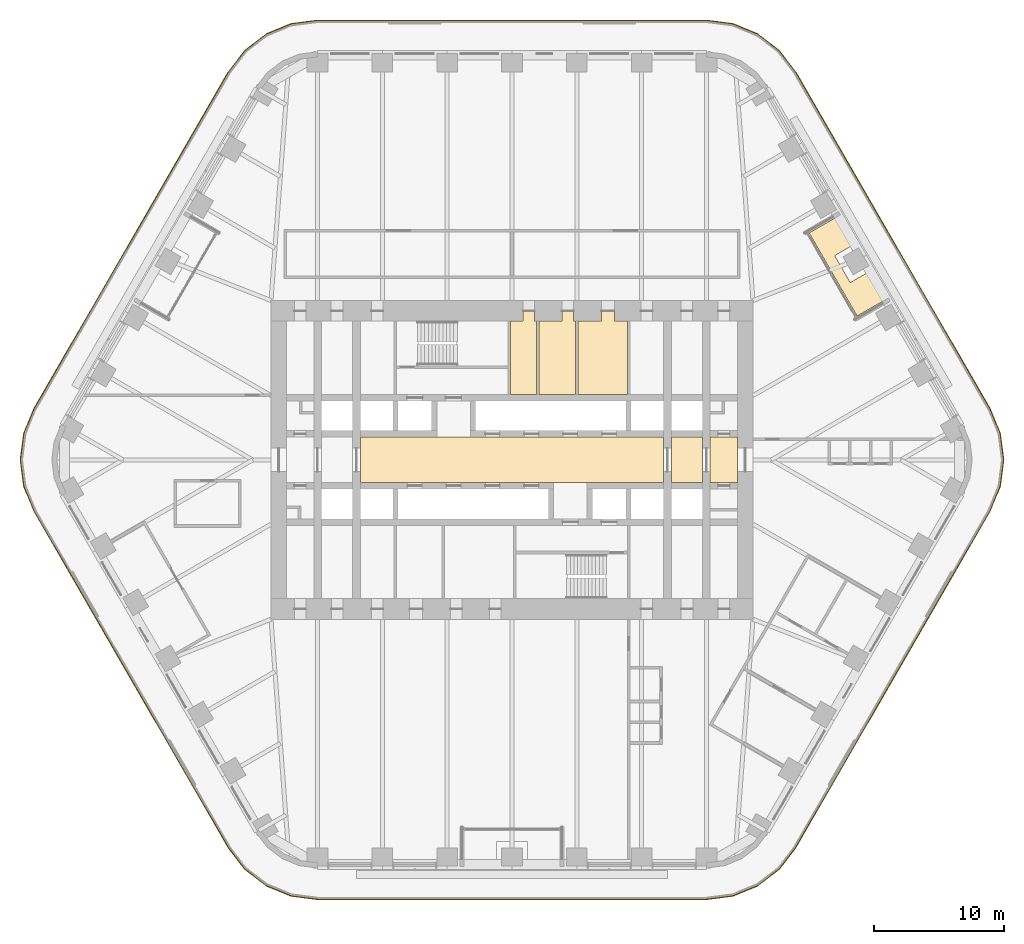
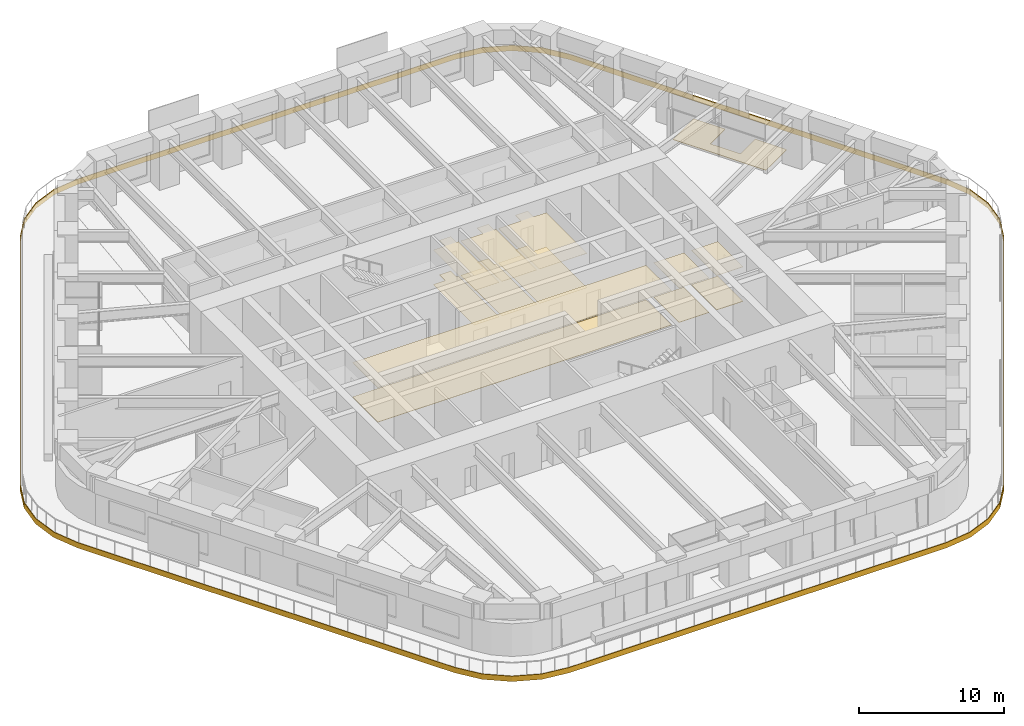
# One storey, part 23 of 24: 14 coverings.
"""IFC4 building model written with IfcOpenShell, lengths in metres."""

import ifcopenshell
import ifcopenshell.guid

model = None  # the IFC model being written
_history = None  # IfcOwnerHistory: only IFC2X3 demands one
_inside = {}  # id of a spatial element -> (the spatial element, [elements in it])
_under = {}  # id of a project, library or spatial element -> (it, [spatial elements below it])
_declared = {}  # id of a project -> (the project, [libraries it declares])
_typed = {}  # id of a type object -> (the type object, [elements of that type])
_made_of = {}  # id of a material, layer set ... -> (it, [elements and type objects made of it])


def new_model(schema):
    """Start an empty IFC model of exactly this schema.

    Asked for "IFC4X3", IfcOpenShell would pick the latest addendum, in which some entities
    have other attributes; the version numbers below select the first issue.
    IFC2X3 requires an IfcOwnerHistory on every rooted entity: one is made here for all.
    """
    global model, _history
    if schema == "IFC4X3":
        model = ifcopenshell.file(schema_version=(4, 3, 0, 0))
    else:
        model = ifcopenshell.file(schema=schema)
    _inside.clear()
    _under.clear()
    _declared.clear()
    _typed.clear()
    _made_of.clear()
    _history = None
    if model.schema == "IFC2X3":
        org = make("IfcOrganization", Name="unknown")
        user = make(
            "IfcPersonAndOrganization",
            ThePerson=make("IfcPerson", FamilyName="unknown"),
            TheOrganization=org,
        )
        app = make(
            "IfcApplication",
            ApplicationDeveloper=org,
            Version="unknown",
            ApplicationFullName="unknown",
            ApplicationIdentifier="unknown",
        )
        _history = make(
            "IfcOwnerHistory",
            OwningUser=user,
            OwningApplication=app,
            ChangeAction="ADDED",
            CreationDate=0,
        )
    return model


def make(cls, **values):
    """One entity of the class cls with the attributes given. An attribute that is None is left unset."""
    return model.create_entity(
        cls, **{name: value for name, value in values.items() if value is not None}
    )


def rooted(cls, **values):
    """An entity with a GlobalId (a new one), such as an element, a storey or a relation."""
    return make(cls, GlobalId=ifcopenshell.guid.new(), OwnerHistory=_history, **values)


def si_unit(unit_type, name, prefix=None):
    """IfcSIUnit, for example si_unit("LENGTHUNIT", "METRE", prefix="MILLI")."""
    return make("IfcSIUnit", UnitType=unit_type, Prefix=prefix, Name=name)


def assignment(units):
    """IfcUnitAssignment: the units of a project."""
    return None if units is None else make("IfcUnitAssignment", Units=units)


def point(xyz):
    """IfcCartesianPoint."""
    return None if xyz is None else make("IfcCartesianPoint", Coordinates=xyz)


def direction(xyz):
    """IfcDirection."""
    return None if xyz is None else make("IfcDirection", DirectionRatios=xyz)


def frame(location, z_axis=None, x_axis=None):
    """IfcAxis2Placement3D, a coordinate frame: its origin and axes. An axis left out is left unset."""
    return make(
        "IfcAxis2Placement3D",
        Location=point(location),
        Axis=direction(z_axis),
        RefDirection=direction(x_axis),
    )


def origin():
    """The frame at (0, 0, 0) with its axes left unset."""
    return frame((0.0, 0.0, 0.0))


def place(relative_to, where):
    """IfcLocalPlacement: puts the frame where relative to a parent placement (None: the world)."""
    return make(
        "IfcLocalPlacement", PlacementRelTo=relative_to, RelativePlacement=where
    )


def context(
    kind, dimensions, precision=None, world=None, true_north=None, identifier=None
):
    """IfcGeometricRepresentationContext, for example the 3D "Model" context."""
    return make(
        "IfcGeometricRepresentationContext",
        ContextIdentifier=identifier,
        ContextType=kind,
        CoordinateSpaceDimension=dimensions,
        Precision=precision,
        WorldCoordinateSystem=world,
        TrueNorth=true_north,
    )


def subcontext(parent, identifier, kind, view, scale=None):
    """IfcGeometricRepresentationSubContext, for example "Body" below "Model"."""
    return make(
        "IfcGeometricRepresentationSubContext",
        ContextIdentifier=identifier,
        ContextType=kind,
        ParentContext=parent,
        TargetScale=scale,
        TargetView=view,
    )


def project(units=None, contexts=None):
    """IfcProject with its units and contexts."""
    return rooted(
        "IfcProject",
        Name="project",
        RepresentationContexts=contexts,
        UnitsInContext=assignment(units),
    )


def spatial(cls, under=None, at=None, **own):
    """A site, building, storey or space (cls), placed at a placement, below another one or the project."""
    s = rooted(cls, ObjectPlacement=at, **own)
    if under is not None:
        _under.setdefault(under.id(), (under, []))[1].append(s)
    return s


def polyline(points):
    """IfcPolyline through the points."""
    return make("IfcPolyline", Points=[point(p) for p in points])


def outline(outer, holes=None, kind="AREA"):
    """IfcArbitraryClosedProfileDef: a profile drawn as a closed curve; with holes, ...WithVoids."""
    if holes is None:
        return make("IfcArbitraryClosedProfileDef", ProfileType=kind, OuterCurve=outer)
    return make(
        "IfcArbitraryProfileDefWithVoids",
        ProfileType=kind,
        OuterCurve=outer,
        InnerCurves=holes,
    )


def extrude(swept, where, along, depth):
    """IfcExtrudedAreaSolid: the profile swept, set in the frame where, extruded along a direction by depth."""
    return make(
        "IfcExtrudedAreaSolid",
        SweptArea=swept,
        Position=where,
        ExtrudedDirection=direction(along),
        Depth=depth,
    )


def shape(context_of_items, identifier, shape_type, items):
    """IfcShapeRepresentation: the items that make up one representation, for example the "Body"."""
    return make(
        "IfcShapeRepresentation",
        ContextOfItems=context_of_items,
        RepresentationIdentifier=identifier,
        RepresentationType=shape_type,
        Items=items,
    )


def material(Name=None, Category=None):
    """IfcMaterial."""
    return make("IfcMaterial", Name=Name, Category=Category)


def layer(
    of_material, thickness, ventilated=None, Name=None, Category=None, Priority=None
):
    """IfcMaterialLayer: one layer of a wall or slab, of a material (None: an air gap)."""
    return make(
        "IfcMaterialLayer",
        Material=of_material,
        LayerThickness=thickness,
        IsVentilated=ventilated,
        Name=Name,
        Category=Category,
        Priority=Priority,
    )


def layer_set(layers, Name=None):
    """IfcMaterialLayerSet."""
    return make("IfcMaterialLayerSet", MaterialLayers=layers, LayerSetName=Name)


def made_of(thing, what):
    """Note that an element or type object is made of a material, layer set ...; save() writes the relation."""
    if what is not None:
        _made_of.setdefault(what.id(), (what, []))[1].append(thing)
    return thing


def type_object(cls, material=None, **own):
    """A type object (cls), such as IfcWallType, which elements share."""
    return made_of(rooted(cls, **own), material)


def element(
    cls,
    number,
    at=None,
    inside=None,
    cuts=None,
    type_object=None,
    material=None,
    context=None,
    identifier="Body",
    shape_type=None,
    held_by="IfcProductDefinitionShape",
    body=None,
    shapes=None,
    **own,
):
    """One element of the class cls, such as IfcWall. Its Tag is "e" and its number.

    at: its placement. inside: the storey or other place that contains it. cuts: it is an
    opening in that element (IfcRelVoidsElement). A single representation is given by context,
    identifier, shape_type and body (its items); several are given by shapes. held_by: the class
    of the entity that holds the representations. save() writes the other relations.
    """
    e = rooted(cls, Tag="e%d" % number, ObjectPlacement=at, **own)
    if body is not None:
        shapes = [shape(context, identifier, shape_type, body)]
    if shapes is not None:
        e.Representation = make(held_by, Representations=shapes)
    if inside is not None:
        _inside.setdefault(inside.id(), (inside, []))[1].append(e)
    if cuts is not None:
        rooted(
            "IfcRelVoidsElement", RelatingBuildingElement=cuts, RelatedOpeningElement=e
        )
    if type_object is not None:
        _typed.setdefault(type_object.id(), (type_object, []))[1].append(e)
    return made_of(e, material)


def aggregate(whole, parts):
    """IfcRelAggregates: a whole, such as a stair, and the parts it consists of."""
    return rooted("IfcRelAggregates", RelatingObject=whole, RelatedObjects=parts)


def save(model, path):
    """Write the relations noted so far, then the file.

    IfcRelAggregates (storeys below a building ...), IfcRelContainedInSpatialStructure (elements
    in a storey), IfcRelDefinesByType, IfcRelAssociatesMaterial and IfcRelDeclares: one each for
    every whole, place, type object, material and project.
    """
    for whole, parts in _under.values():
        aggregate(whole, parts)
    for where, things in _inside.values():
        rooted(
            "IfcRelContainedInSpatialStructure",
            RelatedElements=things,
            RelatingStructure=where,
        )
    for kind, things in _typed.values():
        rooted("IfcRelDefinesByType", RelatedObjects=things, RelatingType=kind)
    for what, things in _made_of.values():
        rooted("IfcRelAssociatesMaterial", RelatedObjects=things, RelatingMaterial=what)
    for by, libraries in _declared.values():
        rooted("IfcRelDeclares", RelatingContext=by, RelatedDefinitions=libraries)
    model.write(path)


model = new_model("IFC4")

# Units and contexts
model_context = context("Model", 3, precision=1e-05, world=origin(), true_north=direction((0.0, 1.0)))
body_context = subcontext(model_context, "Body", "Model", "MODEL_VIEW")
ifc_project = project(units=[si_unit("LENGTHUNIT", "METRE"), si_unit("AREAUNIT", "SQUARE_METRE"), si_unit("VOLUMEUNIT", "CUBIC_METRE"), si_unit("PLANEANGLEUNIT", "RADIAN"), si_unit("MASSUNIT", "GRAM", prefix="KILO")], contexts=[model_context])

# Site, building, storey
site_placement = place(None, origin())
site = spatial("IfcSite", under=ifc_project, at=site_placement, CompositionType="ELEMENT")
building_placement = place(site_placement, origin())
building = spatial("IfcBuilding", under=site, at=building_placement, Name="Tarfa Lantern Tower", CompositionType="ELEMENT")
storey_placement = place(building_placement, frame((0.0, 0.0, 169.89990234375)))
storey = spatial("IfcBuildingStorey", under=building, at=storey_placement, Name="L38", CompositionType="ELEMENT", Elevation=169.89990234375)

# Coverings
ifc_material_1 = material(Name="Moisture-resistant plasterboard", Category="finish")
ifc_layer_1 = layer(ifc_material_1, 0.014892578125)
ifc_layer_set_1 = layer_set([ifc_layer_1], Name="CL2 MOISTURE-RESISTANT PLASTERBOARD CEILING 15")
covering_type_1 = type_object("IfcCoveringType", Name="CL2 MOISTURE-RESISTANT PLASTERBOARD CEILING 15", PredefinedType="CEILING", material=ifc_layer_set_1)
covering_1_placement = place(storey_placement, frame((0.0, 0.0, 2.900146484375)))
element("IfcCovering", 1, at=covering_1_placement, inside=storey, type_object=covering_type_1, Name="Ceiling L38-09", PredefinedType="CEILING", context=body_context, shape_type="SweptSolid", body=[
    extrude(outline(polyline([(0.85009765625, 10.699951171875), (-0.10009765625, 10.699951171875), (-0.10009765625, 5.050048828125), (1.89990234375, 5.050048828125), (1.89990234375, 10.699951171875), (1.75, 10.699951171875), (1.75, 11.5), (1.75, 11.5), (0.85009765625, 11.5), (0.85009765625, 10.699951171875)])), origin(), (0.0, 0.0, 1.0), 0.014892578125),
])
covering_2_placement = place(storey_placement, frame((0.0, 0.0, 2.900146484375)))
element("IfcCovering", 2, at=covering_2_placement, inside=storey, type_object=covering_type_1, Name="Ceiling L38-10", PredefinedType="CEILING", context=body_context, shape_type="SweptSolid", body=[
    extrude(outline(polyline([(2.10009765625, 5.050048828125), (4.89990234375, 5.050048828125), (4.89990234375, 10.699951171875), (4.75, 10.699951171875), (4.75, 11.5), (3.85009765625, 11.5), (3.85009765625, 10.699951171875), (2.10009765625, 10.699951171875), (2.10009765625, 5.050048828125)])), origin(), (0.0, 0.0, 1.0), 0.014892578125),
])
covering_3_placement = place(storey_placement, frame((0.0, 0.0, 2.900146484375)))
element("IfcCovering", 3, at=covering_3_placement, inside=storey, type_object=covering_type_1, Name="Ceiling L38-11", PredefinedType="CEILING", context=body_context, shape_type="SweptSolid", body=[
    extrude(outline(polyline([(5.10009765625, 5.050048828125), (8.89990234375, 5.050048828125), (8.89990234375, 10.699951171875), (7.89990234375, 10.699951171875), (7.89990234375, 11.5), (6.89990234375, 11.5), (6.89990234375, 10.699951171875), (5.10009765625, 10.699951171875), (5.10009765625, 5.050048828125)])), origin(), (0.0, 0.0, 1.0), 0.014892578125),
])
ifc_material_2 = material(Name="Powder-coated aluminium panel", Category="aluminium")
ifc_layer_2 = layer(ifc_material_2, 0.030029296875)
ifc_layer_set_2 = layer_set([ifc_layer_2], Name="CL3 METAL PANEL CEILING 30")
covering_type_2 = type_object("IfcCoveringType", Name="CL3 METAL PANEL CEILING 30", PredefinedType="CEILING", material=ifc_layer_set_2)
covering_4_placement = place(storey_placement, frame((0.0, 0.0, 2.900146484375)))
element("IfcCovering", 4, at=covering_4_placement, inside=storey, type_object=covering_type_2, Name="Ceiling L38-03", PredefinedType="CEILING", context=body_context, shape_type="SweptSolid", body=[
    extrude(outline(polyline([(-11.699951171875, -1.75), (11.699951171875, -1.75), (11.699951171875, 1.75), (-11.699951171875, 1.75), (-11.699951171875, -1.75)])), origin(), (0.0, 0.0, 1.0), 0.030029296875),
])
covering_5_placement = place(storey_placement, frame((0.0, 0.0, 2.900146484375)))
element("IfcCovering", 5, at=covering_5_placement, inside=storey, type_object=covering_type_2, Name="Ceiling L38-04", PredefinedType="CEILING", context=body_context, shape_type="SweptSolid", body=[
    extrude(outline(polyline([(12.300048828125, -1.75), (14.699951171875, -1.75), (14.699951171875, 1.75), (12.300048828125, 1.75), (12.300048828125, -1.75)])), origin(), (0.0, 0.0, 1.0), 0.030029296875),
])
covering_6_placement = place(storey_placement, frame((0.0, 0.0, 2.900146484375)))
element("IfcCovering", 6, at=covering_6_placement, inside=storey, type_object=covering_type_2, Name="Ceiling L38-05", PredefinedType="CEILING", context=body_context, shape_type="SweptSolid", body=[
    extrude(outline(polyline([(15.300048828125, -1.75), (17.39990234375, -1.75), (17.39990234375, 1.75), (15.300048828125, 1.75), (15.300048828125, -1.75)])), origin(), (0.0, 0.0, 1.0), 0.030029296875),
])
ifc_material_3 = material(Name="Honed limestone flooring", Category="masonry")
ifc_layer_3 = layer(ifc_material_3, 0.030029296875)
ifc_layer_set_3 = layer_set([ifc_layer_3], Name="FL2 STONE FLOORING 30")
covering_type_3 = type_object("IfcCoveringType", Name="FL2 STONE FLOORING 30", PredefinedType="FLOORING", material=ifc_layer_set_3)
covering_7_placement = place(storey_placement, origin())
element("IfcCovering", 7, at=covering_7_placement, inside=storey, type_object=covering_type_3, Name="Floor finish L38-03", PredefinedType="FLOORING", context=body_context, shape_type="SweptSolid", body=[
    extrude(outline(polyline([(-11.699951171875, -1.75), (11.699951171875, -1.75), (11.699951171875, 1.75), (-11.699951171875, 1.75), (-11.699951171875, -1.75)])), origin(), (0.0, 0.0, 1.0), 0.030029296875),
])
covering_8_placement = place(storey_placement, origin())
element("IfcCovering", 8, at=covering_8_placement, inside=storey, type_object=covering_type_3, Name="Floor finish L38-04", PredefinedType="FLOORING", context=body_context, shape_type="SweptSolid", body=[
    extrude(outline(polyline([(12.300048828125, -1.75), (14.699951171875, -1.75), (14.699951171875, 1.75), (12.300048828125, 1.75), (12.300048828125, -1.75)])), origin(), (0.0, 0.0, 1.0), 0.030029296875),
])
covering_9_placement = place(storey_placement, origin())
element("IfcCovering", 9, at=covering_9_placement, inside=storey, type_object=covering_type_3, Name="Floor finish L38-05", PredefinedType="FLOORING", context=body_context, shape_type="SweptSolid", body=[
    extrude(outline(polyline([(15.300048828125, -1.75), (17.39990234375, -1.75), (17.39990234375, 1.75), (15.300048828125, 1.75), (15.300048828125, -1.75)])), origin(), (0.0, 0.0, 1.0), 0.030029296875),
])
ifc_material_4 = material(Name="Porcelain floor tile", Category="finish")
ifc_layer_4 = layer(ifc_material_4, 0.011962890625)
ifc_layer_set_4 = layer_set([ifc_layer_4], Name="FL3 CERAMIC TILE 12")
covering_type_4 = type_object("IfcCoveringType", Name="FL3 CERAMIC TILE 12", PredefinedType="FLOORING", material=ifc_layer_set_4)
covering_10_placement = place(storey_placement, origin())
element("IfcCovering", 10, at=covering_10_placement, inside=storey, type_object=covering_type_4, Name="Floor finish L38-09", PredefinedType="FLOORING", context=body_context, shape_type="SweptSolid", body=[
    extrude(outline(polyline([(0.85009765625, 10.699951171875), (-0.10009765625, 10.699951171875), (-0.10009765625, 5.050048828125), (1.89990234375, 5.050048828125), (1.89990234375, 10.699951171875), (1.75, 10.699951171875), (1.75, 11.5), (1.75, 11.5), (0.85009765625, 11.5), (0.85009765625, 10.699951171875)])), origin(), (0.0, 0.0, 1.0), 0.01220703125),
])
covering_11_placement = place(storey_placement, origin())
element("IfcCovering", 11, at=covering_11_placement, inside=storey, type_object=covering_type_4, Name="Floor finish L38-10", PredefinedType="FLOORING", context=body_context, shape_type="SweptSolid", body=[
    extrude(outline(polyline([(2.10009765625, 5.050048828125), (4.89990234375, 5.050048828125), (4.89990234375, 10.699951171875), (4.75, 10.699951171875), (4.75, 11.5), (3.85009765625, 11.5), (3.85009765625, 10.699951171875), (2.10009765625, 10.699951171875), (2.10009765625, 5.050048828125)])), origin(), (0.0, 0.0, 1.0), 0.01220703125),
])
covering_12_placement = place(storey_placement, origin())
element("IfcCovering", 12, at=covering_12_placement, inside=storey, type_object=covering_type_4, Name="Floor finish L38-11", PredefinedType="FLOORING", context=body_context, shape_type="SweptSolid", body=[
    extrude(outline(polyline([(5.10009765625, 5.050048828125), (8.89990234375, 5.050048828125), (8.89990234375, 10.699951171875), (7.89990234375, 10.699951171875), (7.89990234375, 11.5), (6.89990234375, 11.5), (6.89990234375, 10.699951171875), (5.10009765625, 10.699951171875), (5.10009765625, 5.050048828125)])), origin(), (0.0, 0.0, 1.0), 0.01220703125),
])
ifc_material_5 = material(Name="Porcelain pavers on pedestals", Category="ceramic")
ifc_layer_5 = layer(ifc_material_5, 0.0400390625)
ifc_layer_set_5 = layer_set([ifc_layer_5], Name="LP1 LOGGIA PAVING 40")
covering_type_5 = type_object("IfcCoveringType", Name="LP1 LOGGIA PAVING 40", PredefinedType="FLOORING", material=ifc_layer_set_5)
covering_13_placement = place(storey_placement, origin())
element("IfcCovering", 13, at=covering_13_placement, inside=storey, type_object=covering_type_5, Name="Loggia paving NE", PredefinedType="FLOORING", context=body_context, shape_type="SweptSolid", body=[
    extrude(outline(polyline([(29.131591796875, 12.54248046875), (26.637451171875, 11.1025390625), (22.933837890625, 17.517578125), (25.427978515625, 18.95751953125), (26.6796875, 16.789306640625), (24.904541015625, 15.76416015625), (26.1044921875, 13.685791015625), (27.8798828125, 14.710693359375), (29.131591796875, 12.54248046875)])), origin(), (0.0, 0.0, 1.0), 0.0400390625),
])
ifc_material_6 = material(Name="Limestone cladding on brackets", Category="masonry")
ifc_layer_6 = layer(ifc_material_6, 0.050048828125)
ifc_layer_set_6 = layer_set([ifc_layer_6], Name="SB1 STONE BAND CLADDING 50")
covering_type_6 = type_object("IfcCoveringType", Name="SB1 STONE BAND CLADDING 50", PredefinedType="CLADDING", material=ifc_layer_set_6)
covering_14_placement = place(storey_placement, frame((0.0, 0.0, -0.39990234375)))
element("IfcCovering", 14, at=covering_14_placement, inside=storey, type_object=covering_type_6, Name="Stone band", PredefinedType="CLADDING", context=body_context, shape_type="SweptSolid", body=[
    extrude(outline(polyline([(36.9072265625, 3.97509765625), (21.89599609375, 29.97509765625), (20.632568359375, 31.62158203125), (18.986083984375, 32.885009765625), (17.068603515625, 33.67919921875), (15.010986328125, 33.949951171875), (-15.010986328125, 33.949951171875), (-17.068603515625, 33.67919921875), (-18.986083984375, 32.885009765625), (-20.632568359375, 31.62158203125), (-21.89599609375, 29.97509765625), (-36.9072265625, 3.97509765625), (-37.701416015625, 2.0576171875), (-37.97216796875, 0.0), (-37.701416015625, -2.0576171875), (-36.9072265625, -3.97509765625), (-21.89599609375, -29.97509765625), (-20.632568359375, -31.62158203125), (-18.986083984375, -32.885009765625), (-17.068603515625, -33.67919921875), (-15.010986328125, -33.949951171875), (15.010986328125, -33.949951171875), (17.068603515625, -33.67919921875), (18.986083984375, -32.885009765625), (20.632568359375, -31.62158203125), (21.89599609375, -29.97509765625), (36.9072265625, -3.97509765625), (37.701416015625, -2.0576171875), (37.97216796875, 0.0), (37.701416015625, 2.0576171875), (36.9072265625, 3.97509765625)]), holes=[polyline([(36.86376953125, 3.949951171875), (21.852783203125, 29.949951171875), (20.59716796875, 31.586181640625), (18.961181640625, 32.841552734375), (17.0556640625, 33.630859375), (15.010986328125, 33.89990234375), (-15.010986328125, 33.89990234375), (-17.0556640625, 33.630859375), (-18.961181640625, 32.841552734375), (-20.59716796875, 31.586181640625), (-21.852783203125, 29.949951171875), (-36.86376953125, 3.949951171875), (-37.653076171875, 2.044677734375), (-37.922119140625, 0.0), (-37.653076171875, -2.044677734375), (-36.86376953125, -3.949951171875), (-21.852783203125, -29.949951171875), (-20.59716796875, -31.586181640625), (-18.961181640625, -32.841552734375), (-17.0556640625, -33.630859375), (-15.010986328125, -33.89990234375), (15.010986328125, -33.89990234375), (17.0556640625, -33.630859375), (18.961181640625, -32.841552734375), (20.59716796875, -31.586181640625), (21.852783203125, -29.949951171875), (36.86376953125, -3.949951171875), (37.653076171875, -2.044677734375), (37.922119140625, 0.0), (37.653076171875, 2.044677734375), (36.86376953125, 3.949951171875)])]), origin(), (0.0, 0.0, 1.0), 0.449951171875),
])

save(model, "model.ifc")
